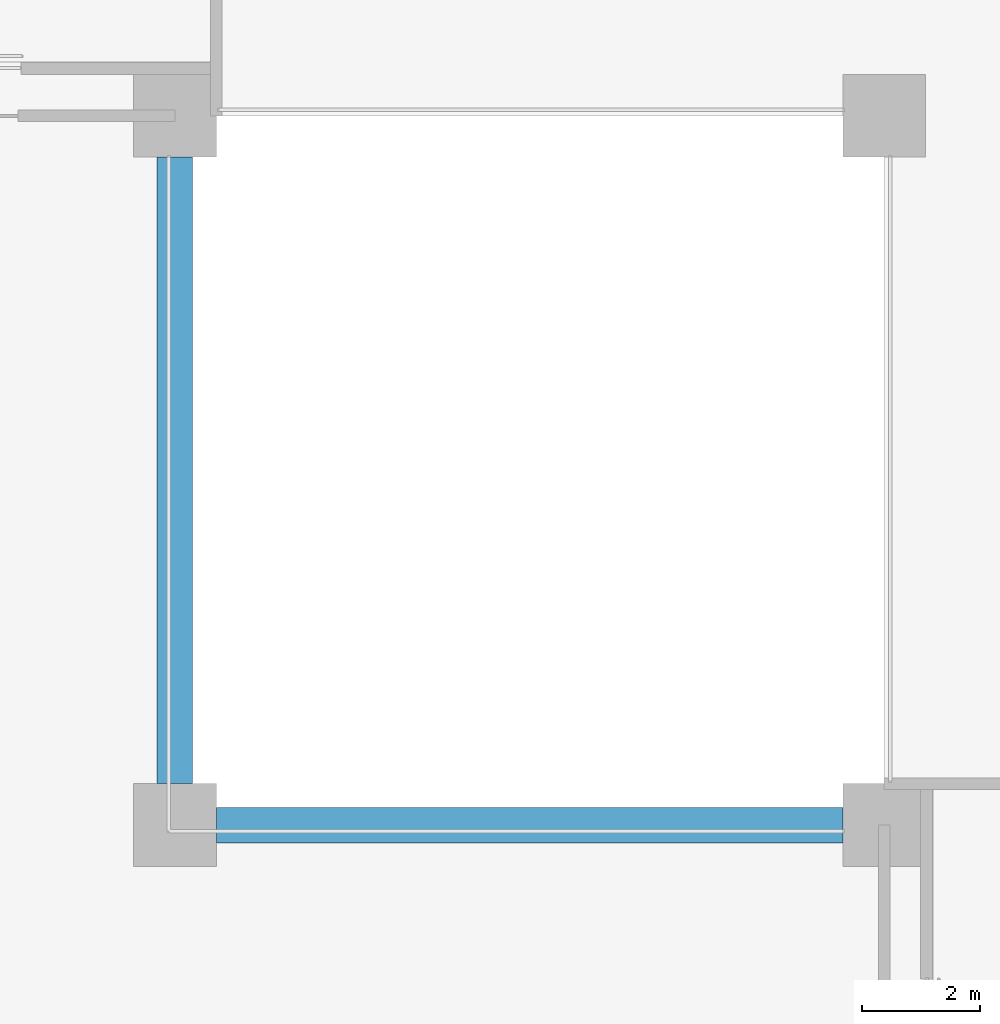
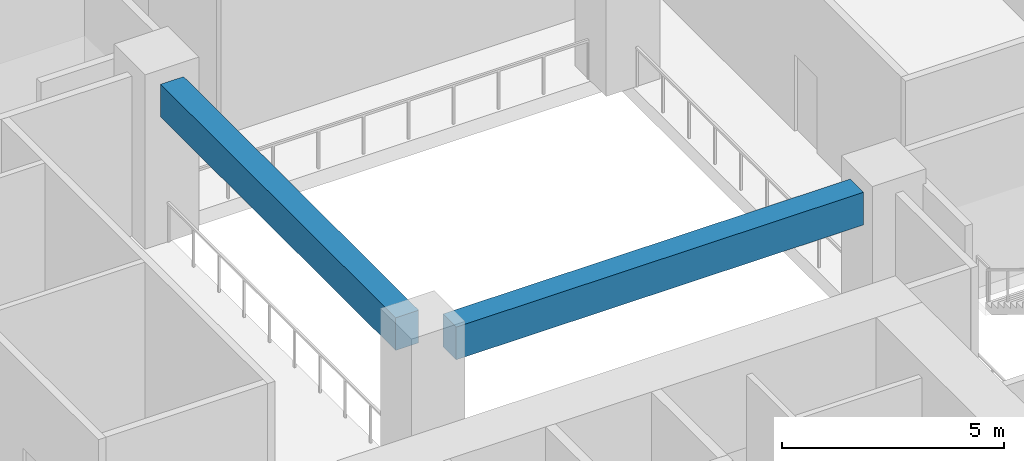
# One storey, part 5 of 26: 2 beams.
"""IFC4 building model written with IfcOpenShell, lengths in metres."""

from ifc_helpers import new_model, si_unit, direction, frame, origin, origin_2d, place, context, subcontext, project, spatial, rectangle, extrude, material, material_profile, profile_set, type_object, element, save


model = new_model("IFC4")

# Units and contexts
model_context = context("Model", 3, precision=1e-05, world=origin(), true_north=direction((0.0, 1.0)))
body_context = subcontext(model_context, "Body", "Model", "MODEL_VIEW")
ifc_project = project(units=[si_unit("LENGTHUNIT", "METRE"), si_unit("AREAUNIT", "SQUARE_METRE"), si_unit("VOLUMEUNIT", "CUBIC_METRE"), si_unit("PLANEANGLEUNIT", "RADIAN"), si_unit("MASSUNIT", "GRAM", prefix="KILO")], contexts=[model_context])

# Site, building, storey
site_placement = place(None, origin())
site = spatial("IfcSite", under=ifc_project, at=site_placement, CompositionType="ELEMENT")
building_placement = place(site_placement, origin())
building = spatial("IfcBuilding", under=site, at=building_placement, Name="Chenar Terraces", CompositionType="ELEMENT")
storey_placement = place(building_placement, frame((0.0, 0.0, 16.800048828125)))
storey = spatial("IfcBuildingStorey", under=building, at=storey_placement, Name="L03", CompositionType="ELEMENT", Elevation=16.800048828125)

# Beams
ifc_material = material(Name="Concrete C40/50", Category="concrete")
ifc_material_profile = material_profile(ifc_material, rectangle(XDim=0.60009765625, YDim=0.89990234375, at=origin_2d()), Name="RC 600 x 900")
ifc_profile_set = profile_set([ifc_material_profile], Name="Concrete C40/50")
beam_type = type_object("IfcBeamType", Name="Atrium edge beam 600 x 900 Concrete C40/50", PredefinedType="BEAM", material=ifc_profile_set)
for number, where, z_axis, x_axis, name in (
    (1, (24.699951171875, 24.0, 3.949951171875), (1.0, 0.0, 0.0), (0.0, 1.0, 0.0), "Atrium edge beam L04 1"),
    (2, (24.0, 35.300048828125, 3.949951171875), (0.0, -1.0, 0.0), (1.0, 0.0, 0.0), "Atrium edge beam L04 4"),
):
    element("IfcBeam", number, at=place(storey_placement, frame(where, z_axis=z_axis, x_axis=x_axis)), inside=storey, type_object=beam_type, Name=name, PredefinedType="BEAM", context=body_context, shape_type="SweptSolid", body=[
        extrude(rectangle(XDim=0.60009765625, YDim=0.89990234375, at=origin_2d()), origin(), (0.0, 0.0, 1.0), 10.60009765625),
    ])

save(model, "model.ifc")
